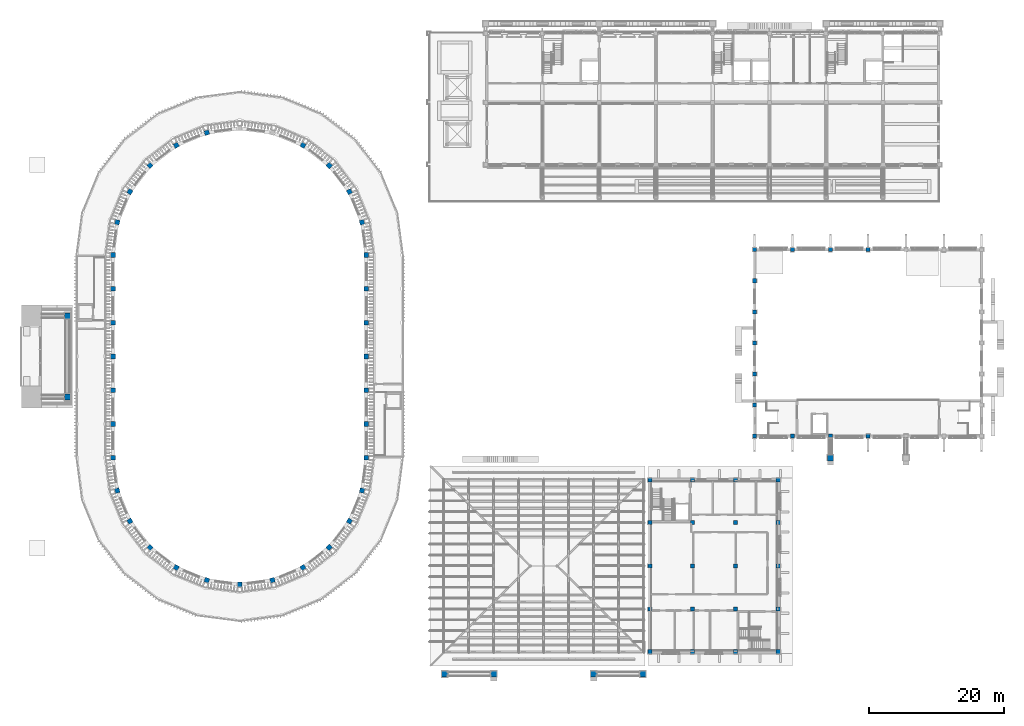
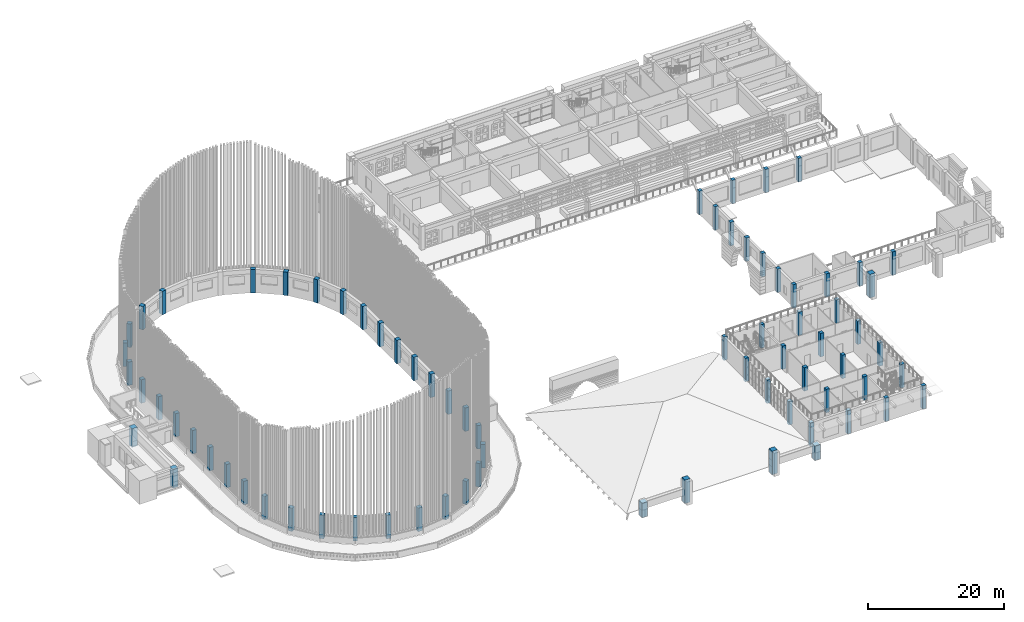
# One storey, part 1 of 68: 74 columns.
"""IFC4 building model written with IfcOpenShell, lengths in metres."""

from ifc_helpers import new_model, si_unit, direction, frame, origin, origin_2d, place, context, subcontext, project, spatial, rectangle, extrude, material, material_profile, profile_set, type_object, element, save


model = new_model("IFC4")

# Units and contexts
model_context = context("Model", 3, precision=1e-05, world=origin(), true_north=direction((0.0, 1.0)))
body_context = subcontext(model_context, "Body", "Model", "MODEL_VIEW")
ifc_project = project(units=[si_unit("LENGTHUNIT", "METRE"), si_unit("AREAUNIT", "SQUARE_METRE"), si_unit("VOLUMEUNIT", "CUBIC_METRE"), si_unit("PLANEANGLEUNIT", "RADIAN"), si_unit("MASSUNIT", "GRAM", prefix="KILO")], contexts=[model_context])

# Site, building, storey
site_placement = place(None, origin())
site = spatial("IfcSite", under=ifc_project, at=site_placement, CompositionType="ELEMENT")
building_placement = place(site_placement, origin())
building = spatial("IfcBuilding", under=site, at=building_placement, Name="Wasatch Bagh Community Centre", CompositionType="ELEMENT")
storey_placement = place(building_placement, frame((0.0, 0.0, 8.39990234375)))
storey = spatial("IfcBuildingStorey", under=building, at=storey_placement, Name="L02", CompositionType="ELEMENT", Elevation=8.39990234375)

# Columns
ifc_material = material(Name="Concrete C40", Category="concrete")
ifc_material_profile_1 = material_profile(ifc_material, rectangle(XDim=0.89990234375, YDim=0.89990234375, at=origin_2d()), Name="RC 900x900")
ifc_profile_set_1 = profile_set([ifc_material_profile_1], Name="Concrete C40")
column_type_1 = type_object("IfcColumnType", Name="CL-P1", PredefinedType="COLUMN", material=ifc_profile_set_1)
column_1_placement = place(storey_placement, frame((123.39990234375, 35.0, 0.0), z_axis=(0.0, 0.0, 1.0), x_axis=(1.0, 0.0, 0.0)))
element("IfcColumn", 1, at=column_1_placement, inside=storey, type_object=column_type_1, Name="CL-P1 pier SHP1", PredefinedType="COLUMN", context=body_context, shape_type="SweptSolid", body=[
    extrude(rectangle(XDim=0.89990234375, YDim=0.89990234375, at=origin_2d()), origin(), (0.0, 0.0, 1.0), 4.2001953125),
])
column_2_placement = place(storey_placement, frame((66.35009765625, 3.0, 0.0), z_axis=(0.0, 0.0, 1.0), x_axis=(1.0, 0.0, 0.0)))
element("IfcColumn", 2, at=column_2_placement, inside=storey, type_object=column_type_1, Name="CL-P1 pier DHP1", PredefinedType="COLUMN", context=body_context, shape_type="SweptSolid", body=[
    extrude(rectangle(XDim=0.89990234375, YDim=0.89990234375, at=origin_2d()), origin(), (0.0, 0.0, 1.0), 2.60009765625),
])
for number, where, z_axis, x_axis, name in (
    (3, (73.60009765625, 3.0, 0.0), (0.0, 0.0, 1.0), (1.0, 0.0, 0.0), "CL-P1 pier DHP2"),
    (4, (88.39990234375, 3.0, 0.0), (0.0, 0.0, 1.0), (1.0, 0.0, 0.0), "CL-P1 pier DHP3"),
):
    element("IfcColumn", number, at=place(storey_placement, frame(where, z_axis=z_axis, x_axis=x_axis)), inside=storey, type_object=column_type_1, Name=name, PredefinedType="COLUMN", context=body_context, shape_type="SweptSolid", body=[
        extrude(rectangle(XDim=0.89990234375, YDim=0.89990234375, at=origin_2d()), origin(), (0.0, 0.0, 1.0), 4.2001953125),
    ])
column_3_placement = place(storey_placement, frame((95.64990234375, 3.0, 0.0), z_axis=(0.0, 0.0, 1.0), x_axis=(1.0, 0.0, 0.0)))
element("IfcColumn", 5, at=column_3_placement, inside=storey, type_object=column_type_1, Name="CL-P1 pier DHP4", PredefinedType="COLUMN", context=body_context, shape_type="SweptSolid", body=[
    extrude(rectangle(XDim=0.89990234375, YDim=0.89990234375, at=origin_2d()), origin(), (0.0, 0.0, 1.0), 2.60009765625),
])
ifc_material_profile_2 = material_profile(ifc_material, rectangle(XDim=0.89990234375, YDim=0.89990234375, at=origin_2d()), Name="RC 900x900")
ifc_profile_set_2 = profile_set([ifc_material_profile_2], Name="Concrete C40")
column_type_2 = type_object("IfcColumnType", Name="CP-C1", PredefinedType="COLUMN", material=ifc_profile_set_2)
for number, where, z_axis, x_axis, name in (
    (6, (10.5, 44.0, 0.0), (0.0, 0.0, 1.0), (1.0, 0.0, 0.0), "CP-C1 rear post 1"),
    (7, (10.5, 56.0, 0.0), (0.0, 0.0, 1.0), (1.0, 0.0, 0.0), "CP-C1 rear post 2"),
):
    element("IfcColumn", number, at=place(storey_placement, frame(where, z_axis=z_axis, x_axis=x_axis)), inside=storey, type_object=column_type_2, Name=name, PredefinedType="COLUMN", context=body_context, shape_type="SweptSolid", body=[
        extrude(rectangle(XDim=0.89990234375, YDim=0.89990234375, at=origin_2d()), origin(), (0.0, 0.0, 1.0), 3.35009765625),
    ])
ifc_material_profile_3 = material_profile(ifc_material, rectangle(XDim=0.60009765625, YDim=0.60009765625, at=origin_2d()), Name="RC 600x600")
ifc_profile_set_3 = profile_set([ifc_material_profile_3], Name="Concrete C40")
column_type_3 = type_object("IfcColumnType", Name="KW RC 600x600 column", PredefinedType="COLUMN", material=ifc_profile_set_3)
for number, where, z_axis, x_axis, name in (
    (8, (96.699951171875, 6.300048828125, 0.0), (0.0, 0.0, 1.0), (1.0, 0.0, 0.0), "KW.col.L02.01"),
    (9, (96.699951171875, 12.60009765625, 0.0), (0.0, 0.0, 1.0), (1.0, 0.0, 0.0), "KW.col.L02.02"),
    (10, (96.699951171875, 19.0, 0.0), (0.0, 0.0, 1.0), (1.0, 0.0, 0.0), "KW.col.L02.03"),
    (11, (96.699951171875, 25.39990234375, 0.0), (0.0, 0.0, 1.0), (1.0, 0.0, 0.0), "KW.col.L02.04"),
    (12, (96.699951171875, 31.699951171875, 0.0), (0.0, 0.0, 1.0), (1.0, 0.0, 0.0), "KW.col.L02.05"),
    (13, (103.0, 6.300048828125, 0.0), (0.0, 0.0, 1.0), (1.0, 0.0, 0.0), "KW.col.L02.06"),
    (14, (103.0, 12.60009765625, 0.0), (0.0, 0.0, 1.0), (1.0, 0.0, 0.0), "KW.col.L02.07"),
    (15, (103.0, 19.0, 0.0), (0.0, 0.0, 1.0), (1.0, 0.0, 0.0), "KW.col.L02.08"),
    (16, (103.0, 25.39990234375, 0.0), (0.0, 0.0, 1.0), (1.0, 0.0, 0.0), "KW.col.L02.09"),
    (17, (103.0, 31.699951171875, 0.0), (0.0, 0.0, 1.0), (1.0, 0.0, 0.0), "KW.col.L02.10"),
    (18, (109.39990234375, 6.300048828125, 0.0), (0.0, 0.0, 1.0), (1.0, 0.0, 0.0), "KW.col.L02.11"),
    (19, (109.39990234375, 12.60009765625, 0.0), (0.0, 0.0, 1.0), (1.0, 0.0, 0.0), "KW.col.L02.12"),
    (20, (109.39990234375, 19.0, 0.0), (0.0, 0.0, 1.0), (1.0, 0.0, 0.0), "KW.col.L02.13"),
    (21, (109.39990234375, 25.39990234375, 0.0), (0.0, 0.0, 1.0), (1.0, 0.0, 0.0), "KW.col.L02.14"),
    (22, (109.39990234375, 31.699951171875, 0.0), (0.0, 0.0, 1.0), (1.0, 0.0, 0.0), "KW.col.L02.15"),
    (23, (115.699951171875, 6.300048828125, 0.0), (0.0, 0.0, 1.0), (1.0, 0.0, 0.0), "KW.col.L02.16"),
    (24, (115.699951171875, 12.60009765625, 0.0), (0.0, 0.0, 1.0), (1.0, 0.0, 0.0), "KW.col.L02.17"),
    (25, (115.699951171875, 19.0, 0.0), (0.0, 0.0, 1.0), (1.0, 0.0, 0.0), "KW.col.L02.18"),
    (26, (115.699951171875, 25.39990234375, 0.0), (0.0, 0.0, 1.0), (1.0, 0.0, 0.0), "KW.col.L02.19"),
    (27, (115.699951171875, 31.699951171875, 0.0), (0.0, 0.0, 1.0), (1.0, 0.0, 0.0), "KW.col.L02.20"),
):
    element("IfcColumn", number, at=place(storey_placement, frame(where, z_axis=z_axis, x_axis=x_axis)), inside=storey, type_object=column_type_3, Name=name, PredefinedType="COLUMN", context=body_context, shape_type="SweptSolid", body=[
        extrude(rectangle(XDim=0.60009765625, YDim=0.60009765625, at=origin_2d()), origin(), (0.0, 0.0, 1.0), 4.2001953125),
    ])
ifc_material_profile_4 = material_profile(ifc_material, rectangle(XDim=0.699951171875, YDim=0.699951171875, at=origin_2d()), Name="RC 700x700")
ifc_profile_set_4 = profile_set([ifc_material_profile_4], Name="Concrete C40")
column_type_4 = type_object("IfcColumnType", Name="MH column RC 700x700", PredefinedType="COLUMN", material=ifc_profile_set_4)
for number, where, z_axis, x_axis, name in (
    (28, (17.25, 35.0, 0.0), (0.0, 0.0, 1.0), (1.0, 0.0, 0.0), "Column W1"),
    (29, (17.25, 40.0, 0.0), (0.0, 0.0, 1.0), (1.0, 0.0, 0.0), "Column W2"),
    (30, (17.25, 45.0, 0.0), (0.0, 0.0, 1.0), (1.0, 0.0, 0.0), "Column W3"),
    (31, (17.25, 50.0, 0.0), (0.0, 0.0, 1.0), (1.0, 0.0, 0.0), "Column W4"),
    (32, (17.25, 55.0, 0.0), (0.0, 0.0, 1.0), (1.0, 0.0, 0.0), "Column W5"),
    (33, (17.25, 60.0, 0.0), (0.0, 0.0, 1.0), (1.0, 0.0, 0.0), "Column W6"),
    (34, (17.25, 65.0, 0.0), (0.0, 0.0, 1.0), (1.0, 0.0, 0.0), "Column W7"),
    (35, (54.75, 35.0, 0.0), (0.0, 0.0, 1.0), (1.0, 0.0, 0.0), "Column E1"),
    (36, (54.75, 40.0, 0.0), (0.0, 0.0, 1.0), (1.0, 0.0, 0.0), "Column E2"),
    (37, (54.75, 45.0, 0.0), (0.0, 0.0, 1.0), (1.0, 0.0, 0.0), "Column E3"),
    (38, (54.75, 50.0, 0.0), (0.0, 0.0, 1.0), (1.0, 0.0, 0.0), "Column E4"),
    (39, (54.75, 55.0, 0.0), (0.0, 0.0, 1.0), (1.0, 0.0, 0.0), "Column E5"),
    (40, (54.75, 60.0, 0.0), (0.0, 0.0, 1.0), (1.0, 0.0, 0.0), "Column E6"),
    (41, (54.75, 65.0, 0.0), (0.0, 0.0, 1.0), (1.0, 0.0, 0.0), "Column E7"),
    (42, (17.888916015625, 30.147216796875, 0.0), (0.0, 0.0, 1.0), (0.965925826289, 0.258819045103, 0.0), "Column S1"),
    (43, (19.761962890625, 25.625, 0.0), (0.0, 0.0, 1.0), (0.866025403784, 0.5, 0.0), "Column S2"),
    (44, (22.74169921875, 21.74169921875, 0.0), (0.0, 0.0, 1.0), (0.707106781187, 0.707106781187, 0.0), "Column S3"),
    (45, (26.625, 18.761962890625, 0.0), (0.0, 0.0, 1.0), (0.5, 0.866025403784, 0.0), "Column S4"),
    (46, (31.147216796875, 16.888916015625, 0.0), (0.0, 0.0, 1.0), (0.258819045103, 0.965925826289, 0.0), "Column S5"),
    (47, (36.0, 16.25, 0.0), (0.0, 0.0, 1.0), (1.0, 0.0, 0.0), "Column S6"),
    (48, (40.852783203125, 16.888916015625, 0.0), (0.0, 0.0, 1.0), (0.965925826289, 0.258819045103, 0.0), "Column S7"),
    (49, (45.375, 18.761962890625, 0.0), (0.0, 0.0, 1.0), (0.866025403784, 0.5, 0.0), "Column S8"),
    (50, (49.25830078125, 21.74169921875, 0.0), (0.0, 0.0, 1.0), (0.707106781187, 0.707106781187, 0.0), "Column S9"),
    (51, (52.238037109375, 25.625, 0.0), (0.0, 0.0, 1.0), (0.5, 0.866025403784, 0.0), "Column S10"),
    (52, (54.111083984375, 30.147216796875, 0.0), (0.0, 0.0, 1.0), (0.258819045103, 0.965925826289, 0.0), "Column S11"),
    (53, (54.111083984375, 69.852783203125, 0.0), (0.0, 0.0, 1.0), (0.965925826289, 0.258819045103, 0.0), "Column N1"),
    (54, (52.238037109375, 74.375, 0.0), (0.0, 0.0, 1.0), (0.866025403784, 0.5, 0.0), "Column N2"),
    (55, (49.25830078125, 78.25830078125, 0.0), (0.0, 0.0, 1.0), (0.707106781187, 0.707106781187, 0.0), "Column N3"),
    (56, (45.375, 81.238037109375, 0.0), (0.0, 0.0, 1.0), (0.5, 0.866025403784, 0.0), "Column N4"),
    (57, (31.147216796875, 83.111083984375, 0.0), (0.0, 0.0, 1.0), (0.965925826289, 0.258819045103, 0.0), "Column N7"),
    (58, (26.625, 81.238037109375, 0.0), (0.0, 0.0, 1.0), (0.866025403784, 0.5, 0.0), "Column N8"),
    (59, (22.74169921875, 78.25830078125, 0.0), (0.0, 0.0, 1.0), (0.707106781187, 0.707106781187, 0.0), "Column N9"),
    (60, (19.761962890625, 74.375, 0.0), (0.0, 0.0, 1.0), (0.5, 0.866025403784, 0.0), "Column N10"),
    (61, (17.888916015625, 69.852783203125, 0.0), (0.0, 0.0, 1.0), (0.258819045103, 0.965925826289, 0.0), "Column N11"),
):
    element("IfcColumn", number, at=place(storey_placement, frame(where, z_axis=z_axis, x_axis=x_axis)), inside=storey, type_object=column_type_4, Name=name, PredefinedType="COLUMN", context=body_context, shape_type="SweptSolid", body=[
        extrude(rectangle(XDim=0.699951171875, YDim=0.699951171875, at=origin_2d()), origin(), (0.0, 0.0, 1.0), 4.2001953125),
    ])
ifc_material_profile_5 = material_profile(ifc_material, rectangle(XDim=0.60009765625, YDim=0.60009765625, at=origin_2d()), Name="RC 600x600")
ifc_profile_set_5 = profile_set([ifc_material_profile_5], Name="Concrete C40")
column_type_5 = type_object("IfcColumnType", Name="SH RC 600x600 column", PredefinedType="COLUMN", material=ifc_profile_set_5)
for number, where, z_axis, x_axis, name in (
    (62, (112.199951171875, 38.199951171875, 0.0), (0.0, 0.0, 1.0), (1.0, 0.0, 0.0), "SH.col.L02.p01"),
    (63, (117.800048828125, 38.199951171875, 0.0), (0.0, 0.0, 1.0), (1.0, 0.0, 0.0), "SH.col.L02.p02"),
    (64, (123.39990234375, 38.199951171875, 0.0), (0.0, 0.0, 1.0), (1.0, 0.0, 0.0), "SH.col.L02.p03"),
    (65, (129.0, 38.199951171875, 0.0), (0.0, 0.0, 1.0), (1.0, 0.0, 0.0), "SH.col.L02.p04"),
    (66, (112.199951171875, 65.800048828125, 0.0), (0.0, 0.0, 1.0), (1.0, 0.0, 0.0), "SH.col.L02.p08"),
    (67, (117.800048828125, 65.800048828125, 0.0), (0.0, 0.0, 1.0), (1.0, 0.0, 0.0), "SH.col.L02.p09"),
    (68, (123.39990234375, 65.800048828125, 0.0), (0.0, 0.0, 1.0), (1.0, 0.0, 0.0), "SH.col.L02.p10"),
    (69, (129.0, 65.800048828125, 0.0), (0.0, 0.0, 1.0), (1.0, 0.0, 0.0), "SH.col.L02.p11"),
    (70, (112.199951171875, 42.800048828125, 0.0), (0.0, 0.0, 1.0), (1.0, 0.0, 0.0), "SH.col.L02.p15"),
    (71, (112.199951171875, 47.39990234375, 0.0), (0.0, 0.0, 1.0), (1.0, 0.0, 0.0), "SH.col.L02.p16"),
    (72, (112.199951171875, 52.0, 0.0), (0.0, 0.0, 1.0), (1.0, 0.0, 0.0), "SH.col.L02.p17"),
    (73, (112.199951171875, 56.60009765625, 0.0), (0.0, 0.0, 1.0), (1.0, 0.0, 0.0), "SH.col.L02.p18"),
    (74, (112.199951171875, 61.199951171875, 0.0), (0.0, 0.0, 1.0), (1.0, 0.0, 0.0), "SH.col.L02.p19"),
):
    element("IfcColumn", number, at=place(storey_placement, frame(where, z_axis=z_axis, x_axis=x_axis)), inside=storey, type_object=column_type_5, Name=name, PredefinedType="COLUMN", context=body_context, shape_type="SweptSolid", body=[
        extrude(rectangle(XDim=0.60009765625, YDim=0.60009765625, at=origin_2d()), origin(), (0.0, 0.0, 1.0), 4.2001953125),
    ])

save(model, "model.ifc")
